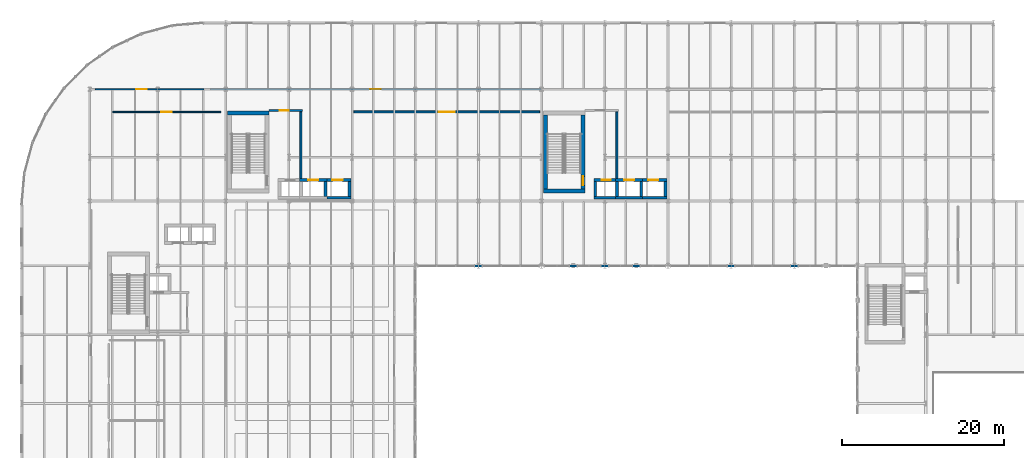
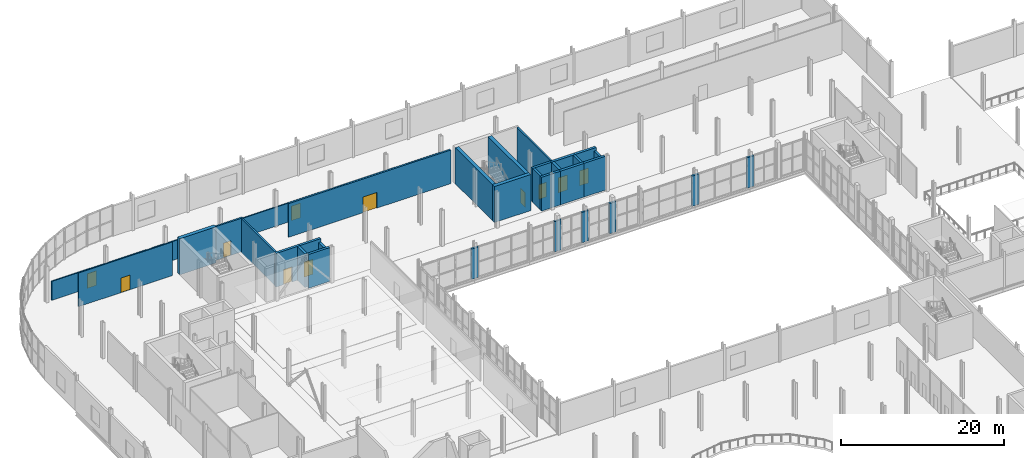
# One storey, part 55 of 78: 32 walls, 11 doors, 11 openings.
"""IFC4 building model written with IfcOpenShell, lengths in metres."""

import ifcopenshell
import ifcopenshell.guid

model = None  # the IFC model being written
_history = None  # IfcOwnerHistory: only IFC2X3 demands one
_inside = {}  # id of a spatial element -> (the spatial element, [elements in it])
_under = {}  # id of a project, library or spatial element -> (it, [spatial elements below it])
_declared = {}  # id of a project -> (the project, [libraries it declares])
_typed = {}  # id of a type object -> (the type object, [elements of that type])
_made_of = {}  # id of a material, layer set ... -> (it, [elements and type objects made of it])


def new_model(schema):
    """Start an empty IFC model of exactly this schema.

    Asked for "IFC4X3", IfcOpenShell would pick the latest addendum, in which some entities
    have other attributes; the version numbers below select the first issue.
    IFC2X3 requires an IfcOwnerHistory on every rooted entity: one is made here for all.
    """
    global model, _history
    if schema == "IFC4X3":
        model = ifcopenshell.file(schema_version=(4, 3, 0, 0))
    else:
        model = ifcopenshell.file(schema=schema)
    _inside.clear()
    _under.clear()
    _declared.clear()
    _typed.clear()
    _made_of.clear()
    _history = None
    if model.schema == "IFC2X3":
        org = make("IfcOrganization", Name="unknown")
        user = make(
            "IfcPersonAndOrganization",
            ThePerson=make("IfcPerson", FamilyName="unknown"),
            TheOrganization=org,
        )
        app = make(
            "IfcApplication",
            ApplicationDeveloper=org,
            Version="unknown",
            ApplicationFullName="unknown",
            ApplicationIdentifier="unknown",
        )
        _history = make(
            "IfcOwnerHistory",
            OwningUser=user,
            OwningApplication=app,
            ChangeAction="ADDED",
            CreationDate=0,
        )
    return model


def make(cls, **values):
    """One entity of the class cls with the attributes given. An attribute that is None is left unset."""
    return model.create_entity(
        cls, **{name: value for name, value in values.items() if value is not None}
    )


def rooted(cls, **values):
    """An entity with a GlobalId (a new one), such as an element, a storey or a relation."""
    return make(cls, GlobalId=ifcopenshell.guid.new(), OwnerHistory=_history, **values)


def si_unit(unit_type, name, prefix=None):
    """IfcSIUnit, for example si_unit("LENGTHUNIT", "METRE", prefix="MILLI")."""
    return make("IfcSIUnit", UnitType=unit_type, Prefix=prefix, Name=name)


def assignment(units):
    """IfcUnitAssignment: the units of a project."""
    return None if units is None else make("IfcUnitAssignment", Units=units)


def point(xyz):
    """IfcCartesianPoint."""
    return None if xyz is None else make("IfcCartesianPoint", Coordinates=xyz)


def direction(xyz):
    """IfcDirection."""
    return None if xyz is None else make("IfcDirection", DirectionRatios=xyz)


def frame(location, z_axis=None, x_axis=None):
    """IfcAxis2Placement3D, a coordinate frame: its origin and axes. An axis left out is left unset."""
    return make(
        "IfcAxis2Placement3D",
        Location=point(location),
        Axis=direction(z_axis),
        RefDirection=direction(x_axis),
    )


def frame_2d(location, x_axis=None):
    """IfcAxis2Placement2D, a coordinate frame in the plane: its origin and x axis."""
    return make(
        "IfcAxis2Placement2D", Location=point(location), RefDirection=direction(x_axis)
    )


def origin():
    """The frame at (0, 0, 0) with its axes left unset."""
    return frame((0.0, 0.0, 0.0))


def place(relative_to, where):
    """IfcLocalPlacement: puts the frame where relative to a parent placement (None: the world)."""
    return make(
        "IfcLocalPlacement", PlacementRelTo=relative_to, RelativePlacement=where
    )


def context(
    kind, dimensions, precision=None, world=None, true_north=None, identifier=None
):
    """IfcGeometricRepresentationContext, for example the 3D "Model" context."""
    return make(
        "IfcGeometricRepresentationContext",
        ContextIdentifier=identifier,
        ContextType=kind,
        CoordinateSpaceDimension=dimensions,
        Precision=precision,
        WorldCoordinateSystem=world,
        TrueNorth=true_north,
    )


def subcontext(parent, identifier, kind, view, scale=None):
    """IfcGeometricRepresentationSubContext, for example "Body" below "Model"."""
    return make(
        "IfcGeometricRepresentationSubContext",
        ContextIdentifier=identifier,
        ContextType=kind,
        ParentContext=parent,
        TargetScale=scale,
        TargetView=view,
    )


def project(units=None, contexts=None):
    """IfcProject with its units and contexts."""
    return rooted(
        "IfcProject",
        Name="project",
        RepresentationContexts=contexts,
        UnitsInContext=assignment(units),
    )


def spatial(cls, under=None, at=None, **own):
    """A site, building, storey or space (cls), placed at a placement, below another one or the project."""
    s = rooted(cls, ObjectPlacement=at, **own)
    if under is not None:
        _under.setdefault(under.id(), (under, []))[1].append(s)
    return s


def profile(cls, at=None, kind="AREA", **sizes):
    """A parametric profile (cls). Its sizes go by their IFC names, for example OverallWidth=200.0."""
    return make(cls, ProfileType=kind, Position=at, **sizes)


def rectangle(**sizes):
    """IfcRectangleProfileDef."""
    return profile("IfcRectangleProfileDef", **sizes)


def extrude(swept, where, along, depth):
    """IfcExtrudedAreaSolid: the profile swept, set in the frame where, extruded along a direction by depth."""
    return make(
        "IfcExtrudedAreaSolid",
        SweptArea=swept,
        Position=where,
        ExtrudedDirection=direction(along),
        Depth=depth,
    )


def shape(context_of_items, identifier, shape_type, items):
    """IfcShapeRepresentation: the items that make up one representation, for example the "Body"."""
    return make(
        "IfcShapeRepresentation",
        ContextOfItems=context_of_items,
        RepresentationIdentifier=identifier,
        RepresentationType=shape_type,
        Items=items,
    )


def material(Name=None, Category=None):
    """IfcMaterial."""
    return make("IfcMaterial", Name=Name, Category=Category)


def layer(
    of_material, thickness, ventilated=None, Name=None, Category=None, Priority=None
):
    """IfcMaterialLayer: one layer of a wall or slab, of a material (None: an air gap)."""
    return make(
        "IfcMaterialLayer",
        Material=of_material,
        LayerThickness=thickness,
        IsVentilated=ventilated,
        Name=Name,
        Category=Category,
        Priority=Priority,
    )


def layer_set(layers, Name=None):
    """IfcMaterialLayerSet."""
    return make("IfcMaterialLayerSet", MaterialLayers=layers, LayerSetName=Name)


def made_of(thing, what):
    """Note that an element or type object is made of a material, layer set ...; save() writes the relation."""
    if what is not None:
        _made_of.setdefault(what.id(), (what, []))[1].append(thing)
    return thing


def type_object(cls, material=None, **own):
    """A type object (cls), such as IfcWallType, which elements share."""
    return made_of(rooted(cls, **own), material)


def element(
    cls,
    number,
    at=None,
    inside=None,
    cuts=None,
    type_object=None,
    material=None,
    context=None,
    identifier="Body",
    shape_type=None,
    held_by="IfcProductDefinitionShape",
    body=None,
    shapes=None,
    **own,
):
    """One element of the class cls, such as IfcWall. Its Tag is "e" and its number.

    at: its placement. inside: the storey or other place that contains it. cuts: it is an
    opening in that element (IfcRelVoidsElement). A single representation is given by context,
    identifier, shape_type and body (its items); several are given by shapes. held_by: the class
    of the entity that holds the representations. save() writes the other relations.
    """
    e = rooted(cls, Tag="e%d" % number, ObjectPlacement=at, **own)
    if body is not None:
        shapes = [shape(context, identifier, shape_type, body)]
    if shapes is not None:
        e.Representation = make(held_by, Representations=shapes)
    if inside is not None:
        _inside.setdefault(inside.id(), (inside, []))[1].append(e)
    if cuts is not None:
        rooted(
            "IfcRelVoidsElement", RelatingBuildingElement=cuts, RelatedOpeningElement=e
        )
    if type_object is not None:
        _typed.setdefault(type_object.id(), (type_object, []))[1].append(e)
    return made_of(e, material)


def fill(opening, filler):
    """IfcRelFillsElement: the door or window that sits in an opening."""
    return rooted(
        "IfcRelFillsElement",
        RelatingOpeningElement=opening,
        RelatedBuildingElement=filler,
    )


def aggregate(whole, parts):
    """IfcRelAggregates: a whole, such as a stair, and the parts it consists of."""
    return rooted("IfcRelAggregates", RelatingObject=whole, RelatedObjects=parts)


def save(model, path):
    """Write the relations noted so far, then the file.

    IfcRelAggregates (storeys below a building ...), IfcRelContainedInSpatialStructure (elements
    in a storey), IfcRelDefinesByType, IfcRelAssociatesMaterial and IfcRelDeclares: one each for
    every whole, place, type object, material and project.
    """
    for whole, parts in _under.values():
        aggregate(whole, parts)
    for where, things in _inside.values():
        rooted(
            "IfcRelContainedInSpatialStructure",
            RelatedElements=things,
            RelatingStructure=where,
        )
    for kind, things in _typed.values():
        rooted("IfcRelDefinesByType", RelatedObjects=things, RelatingType=kind)
    for what, things in _made_of.values():
        rooted("IfcRelAssociatesMaterial", RelatedObjects=things, RelatingMaterial=what)
    for by, libraries in _declared.values():
        rooted("IfcRelDeclares", RelatingContext=by, RelatedDefinitions=libraries)
    model.write(path)


model = new_model("IFC4")

# Units and contexts
model_context = context("Model", 3, precision=1e-05, world=origin(), true_north=direction((0.0, 1.0)))
body_context = subcontext(model_context, "Body", "Model", "MODEL_VIEW")
ifc_project = project(units=[si_unit("LENGTHUNIT", "METRE"), si_unit("AREAUNIT", "SQUARE_METRE"), si_unit("VOLUMEUNIT", "CUBIC_METRE"), si_unit("PLANEANGLEUNIT", "RADIAN"), si_unit("MASSUNIT", "GRAM", prefix="KILO")], contexts=[model_context])

# Site, building, storey
site_placement = place(None, origin())
site = spatial("IfcSite", under=ifc_project, at=site_placement, CompositionType="ELEMENT")
building_placement = place(site_placement, origin())
building = spatial("IfcBuilding", under=site, at=building_placement, Name="Sefraquen Railside Congress Hotel", CompositionType="ELEMENT")
storey_placement = place(building_placement, frame((0.0, 0.0, 6.0)))
storey = spatial("IfcBuildingStorey", under=building, at=storey_placement, Name="L01", CompositionType="ELEMENT", Elevation=6.0)

# Wall, opening, door
ifc_material_1 = material(Name="Concrete C50/60", Category="concrete")
ifc_layer_1 = layer(ifc_material_1, 0.35009765625)
ifc_layer_set_1 = layer_set([ifc_layer_1], Name="Concrete C50/60")
wall_type_1 = type_object("IfcWallType", Name="TW-CW-350", PredefinedType="SHEAR", material=ifc_layer_set_1)
wall_1_placement = place(storey_placement, frame((70.639892578125, 98.594970703125, 0.0), z_axis=(0.0, 0.0, 1.0), x_axis=(1.0, 0.0, 0.0)))
wall_1 = element("IfcWall", 1, at=wall_1_placement, inside=storey, type_object=wall_type_1, Name="Lift FL-03 shaft wall N L01", PredefinedType="SHEAR", context=body_context, shape_type="SweptSolid", body=[
    extrude(rectangle(XDim=2.690185546875, YDim=0.35009765625, at=frame_2d((1.34521484375, 0.0))), origin(), (0.0, 0.0, 1.0), 5.050048828125),
])
opening_1_placement = place(wall_1_placement, frame((0.969970703125, 0.0, 0.0)))
opening_1 = element("IfcOpeningElement", 2, at=opening_1_placement, cuts=wall_1, Name="Opening LD-01", PredefinedType="OPENING", context=body_context, shape_type="SweptSolid", body=[
    extrude(rectangle(XDim=1.10009765625, YDim=2.199951171875, at=frame_2d((0.550048828125, 1.10009765625))), frame((0.0, 0.18505859375, 0.0), z_axis=(0.0, -1.0, 0.0), x_axis=(1.0, 0.0, 0.0)), (0.0, 0.0, 1.0), 0.3701171875),
])
ifc_material_2 = material(Name="Brushed bronze stainless steel", Category="steel")
door_type_1 = type_object("IfcDoorType", Name="TD-LD-01", OperationType="NOTDEFINED", PredefinedType="DOOR", material=ifc_material_2)
door_1_placement = place(opening_1_placement, origin())
door_1 = element("IfcDoor", 3, at=door_1_placement, inside=storey, type_object=door_type_1, Name="Lift landing door FL-03 L01", OperationType="SLIDING_TO_LEFT", OverallHeight=2.199951171875, OverallWidth=1.10009765625, PredefinedType="DOOR", context=body_context, shape_type="SweptSolid", body=[
    extrude(rectangle(XDim=1.10009765625, YDim=2.199951171875, at=frame_2d((0.550048828125, 1.10009765625))), frame((0.0, 0.02490234375, 0.0), z_axis=(0.0, -1.0, 0.0), x_axis=(1.0, 0.0, 0.0)), (0.0, 0.0, 1.0), 0.050048828125),
])
fill(opening_1, door_1)

# Walls
wall_2_placement = place(storey_placement, frame((70.639892578125, 96.405029296875, 0.0), z_axis=(0.0, 0.0, 1.0), x_axis=(1.0, 0.0, 0.0)))
element("IfcWall", 4, at=wall_2_placement, inside=storey, type_object=wall_type_1, Name="Lift FL-03 shaft wall S L01", PredefinedType="SHEAR", context=body_context, shape_type="SweptSolid", body=[
    extrude(rectangle(XDim=2.690185546875, YDim=0.35009765625, at=frame_2d((1.34521484375, 0.0))), origin(), (0.0, 0.0, 1.0), 5.050048828125),
])
wall_3_placement = place(storey_placement, frame((70.81494140625, 96.580078125, 0.0), z_axis=(0.0, 0.0, 1.0), x_axis=(0.0, 1.0, 0.0)))
element("IfcWall", 5, at=wall_3_placement, inside=storey, type_object=wall_type_1, Name="Lift FL-03 shaft wall W L01", PredefinedType="SHEAR", context=body_context, shape_type="SweptSolid", body=[
    extrude(rectangle(XDim=1.83984375, YDim=0.35009765625, at=frame_2d((0.919921875, 0.0))), origin(), (0.0, 0.0, 1.0), 5.050048828125),
])

# Wall, opening, door
wall_4_placement = place(storey_placement, frame((34.330078125, 98.594970703125, 0.0), z_axis=(0.0, 0.0, 1.0), x_axis=(1.0, 0.0, 0.0)))
wall_4 = element("IfcWall", 6, at=wall_4_placement, inside=storey, type_object=wall_type_1, Name="Lift PL-03 shaft wall N L01", PredefinedType="SHEAR", context=body_context, shape_type="SweptSolid", body=[
    extrude(rectangle(XDim=3.33984375, YDim=0.35009765625, at=frame_2d((1.669921875, 0.0))), origin(), (0.0, 0.0, 1.0), 5.050048828125),
])
opening_2_placement = place(wall_4_placement, frame((1.044921875, 0.0, 0.0)))
opening_2 = element("IfcOpeningElement", 7, at=opening_2_placement, cuts=wall_4, Name="Opening LD-02", PredefinedType="OPENING", context=body_context, shape_type="SweptSolid", body=[
    extrude(rectangle(XDim=1.25, YDim=2.25, at=frame_2d((0.625, 1.125))), frame((0.0, 0.18505859375, 0.0), z_axis=(0.0, -1.0, 0.0), x_axis=(1.0, 0.0, 0.0)), (0.0, 0.0, 1.0), 0.3701171875),
])
ifc_material_3 = material(Name="Brushed stainless steel", Category="steel")
door_type_2 = type_object("IfcDoorType", Name="TD-LD-02", OperationType="NOTDEFINED", PredefinedType="DOOR", material=ifc_material_3)
door_2_placement = place(opening_2_placement, origin())
door_2 = element("IfcDoor", 8, at=door_2_placement, inside=storey, type_object=door_type_2, Name="Lift landing door PL-03 L01", OperationType="SLIDING_TO_LEFT", OverallHeight=2.25, OverallWidth=1.25, PredefinedType="DOOR", context=body_context, shape_type="SweptSolid", body=[
    extrude(rectangle(XDim=1.25, YDim=2.25, at=frame_2d((0.625, 1.125))), frame((0.0, 0.02490234375, 0.0), z_axis=(0.0, -1.0, 0.0), x_axis=(1.0, 0.0, 0.0)), (0.0, 0.0, 1.0), 0.050048828125),
])
fill(opening_2, door_2)

# Wall
wall_5_placement = place(storey_placement, frame((37.4951171875, 96.580078125, 0.0), z_axis=(0.0, 0.0, 1.0), x_axis=(0.0, 1.0, 0.0)))
element("IfcWall", 9, at=wall_5_placement, inside=storey, type_object=wall_type_1, Name="Lift PL-03 shaft wall E L01", PredefinedType="SHEAR", context=body_context, shape_type="SweptSolid", body=[
    extrude(rectangle(XDim=1.83984375, YDim=0.35009765625, at=frame_2d((0.919921875, 0.0))), origin(), (0.0, 0.0, 1.0), 5.050048828125),
])

# Wall, opening, door
wall_6_placement = place(storey_placement, frame((37.669921875, 98.594970703125, 0.0), z_axis=(0.0, 0.0, 1.0), x_axis=(1.0, 0.0, 0.0)))
wall_6 = element("IfcWall", 10, at=wall_6_placement, inside=storey, type_object=wall_type_1, Name="Lift PL-04 shaft wall N L01", PredefinedType="SHEAR", context=body_context, shape_type="SweptSolid", body=[
    extrude(rectangle(XDim=2.989990234375, YDim=0.35009765625, at=frame_2d((1.4951171875, 0.0))), origin(), (0.0, 0.0, 1.0), 5.050048828125),
])
opening_3_placement = place(wall_6_placement, frame((0.695068359375, 0.0, 0.0)))
opening_3 = element("IfcOpeningElement", 11, at=opening_3_placement, cuts=wall_6, Name="Opening LD-02", PredefinedType="OPENING", context=body_context, shape_type="SweptSolid", body=[
    extrude(rectangle(XDim=1.25, YDim=2.25, at=frame_2d((0.625, 1.125))), frame((0.0, 0.18505859375, 0.0), z_axis=(0.0, -1.0, 0.0), x_axis=(1.0, 0.0, 0.0)), (0.0, 0.0, 1.0), 0.3701171875),
])
door_3_placement = place(opening_3_placement, origin())
door_3 = element("IfcDoor", 12, at=door_3_placement, inside=storey, type_object=door_type_2, Name="Lift landing door PL-04 L01", OperationType="SLIDING_TO_LEFT", OverallHeight=2.25, OverallWidth=1.25, PredefinedType="DOOR", context=body_context, shape_type="SweptSolid", body=[
    extrude(rectangle(XDim=1.25, YDim=2.25, at=frame_2d((0.625, 1.125))), frame((0.0, 0.02490234375, 0.0), z_axis=(0.0, -1.0, 0.0), x_axis=(1.0, 0.0, 0.0)), (0.0, 0.0, 1.0), 0.050048828125),
])
fill(opening_3, door_3)

# Walls
wall_7_placement = place(storey_placement, frame((37.669921875, 96.405029296875, 0.0), z_axis=(0.0, 0.0, 1.0), x_axis=(1.0, 0.0, 0.0)))
element("IfcWall", 13, at=wall_7_placement, inside=storey, type_object=wall_type_1, Name="Lift PL-04 shaft wall S L01", PredefinedType="SHEAR", context=body_context, shape_type="SweptSolid", body=[
    extrude(rectangle(XDim=2.989990234375, YDim=0.35009765625, at=frame_2d((1.4951171875, 0.0))), origin(), (0.0, 0.0, 1.0), 5.050048828125),
])
wall_8_placement = place(storey_placement, frame((40.485107421875, 96.580078125, 0.0), z_axis=(0.0, 0.0, 1.0), x_axis=(0.0, 1.0, 0.0)))
element("IfcWall", 14, at=wall_8_placement, inside=storey, type_object=wall_type_1, Name="Lift PL-04 shaft wall E L01", PredefinedType="SHEAR", context=body_context, shape_type="SweptSolid", body=[
    extrude(rectangle(XDim=1.83984375, YDim=0.35009765625, at=frame_2d((0.919921875, 0.0))), origin(), (0.0, 0.0, 1.0), 4.590087890625),
])

# Wall, opening, door
wall_9_placement = place(storey_placement, frame((73.330078125, 98.594970703125, 0.0), z_axis=(0.0, 0.0, 1.0), x_axis=(1.0, 0.0, 0.0)))
wall_9 = element("IfcWall", 15, at=wall_9_placement, inside=storey, type_object=wall_type_1, Name="Lift PL-05 shaft wall N L01", PredefinedType="SHEAR", context=body_context, shape_type="SweptSolid", body=[
    extrude(rectangle(XDim=3.33984375, YDim=0.35009765625, at=frame_2d((1.669921875, 0.0))), origin(), (0.0, 0.0, 1.0), 5.050048828125),
])
opening_4_placement = place(wall_9_placement, frame((1.044921875, 0.0, 0.0)))
opening_4 = element("IfcOpeningElement", 16, at=opening_4_placement, cuts=wall_9, Name="Opening LD-02", PredefinedType="OPENING", context=body_context, shape_type="SweptSolid", body=[
    extrude(rectangle(XDim=1.25, YDim=2.25, at=frame_2d((0.625, 1.125))), frame((0.0, 0.18505859375, 0.0), z_axis=(0.0, -1.0, 0.0), x_axis=(1.0, 0.0, 0.0)), (0.0, 0.0, 1.0), 0.3701171875),
])
door_4_placement = place(opening_4_placement, origin())
door_4 = element("IfcDoor", 17, at=door_4_placement, inside=storey, type_object=door_type_2, Name="Lift landing door PL-05 L01", OperationType="SLIDING_TO_LEFT", OverallHeight=2.25, OverallWidth=1.25, PredefinedType="DOOR", context=body_context, shape_type="SweptSolid", body=[
    extrude(rectangle(XDim=1.25, YDim=2.25, at=frame_2d((0.625, 1.125))), frame((0.0, 0.02490234375, 0.0), z_axis=(0.0, -1.0, 0.0), x_axis=(1.0, 0.0, 0.0)), (0.0, 0.0, 1.0), 0.050048828125),
])
fill(opening_4, door_4)

# Walls
wall_10_placement = place(storey_placement, frame((73.330078125, 96.405029296875, 0.0), z_axis=(0.0, 0.0, 1.0), x_axis=(1.0, 0.0, 0.0)))
element("IfcWall", 18, at=wall_10_placement, inside=storey, type_object=wall_type_1, Name="Lift PL-05 shaft wall S L01", PredefinedType="SHEAR", context=body_context, shape_type="SweptSolid", body=[
    extrude(rectangle(XDim=3.33984375, YDim=0.35009765625, at=frame_2d((1.669921875, 0.0))), origin(), (0.0, 0.0, 1.0), 5.050048828125),
])
for number, where, z_axis, x_axis, name in (
    (19, (73.5048828125, 96.580078125, 0.0), (0.0, 0.0, 1.0), (0.0, 1.0, 0.0), "Lift PL-05 shaft wall W L01"),
    (20, (76.4951171875, 96.580078125, 0.0), (0.0, 0.0, 1.0), (0.0, 1.0, 0.0), "Lift PL-05 shaft wall E L01"),
):
    element("IfcWall", number, at=place(storey_placement, frame(where, z_axis=z_axis, x_axis=x_axis)), inside=storey, type_object=wall_type_1, Name=name, PredefinedType="SHEAR", context=body_context, shape_type="SweptSolid", body=[
        extrude(rectangle(XDim=1.83984375, YDim=0.35009765625, at=frame_2d((0.919921875, 0.0))), origin(), (0.0, 0.0, 1.0), 5.050048828125),
    ])

# Wall, opening, door
wall_11_placement = place(storey_placement, frame((76.669921875, 98.594970703125, 0.0), z_axis=(0.0, 0.0, 1.0), x_axis=(1.0, 0.0, 0.0)))
wall_11 = element("IfcWall", 21, at=wall_11_placement, inside=storey, type_object=wall_type_1, Name="Lift PL-06 shaft wall N L01", PredefinedType="SHEAR", context=body_context, shape_type="SweptSolid", body=[
    extrude(rectangle(XDim=2.989990234375, YDim=0.35009765625, at=frame_2d((1.4951171875, 0.0))), origin(), (0.0, 0.0, 1.0), 5.050048828125),
])
opening_5_placement = place(wall_11_placement, frame((0.695068359375, 0.0, 0.0)))
opening_5 = element("IfcOpeningElement", 22, at=opening_5_placement, cuts=wall_11, Name="Opening LD-02", PredefinedType="OPENING", context=body_context, shape_type="SweptSolid", body=[
    extrude(rectangle(XDim=1.25, YDim=2.25, at=frame_2d((0.625, 1.125))), frame((0.0, 0.18505859375, 0.0), z_axis=(0.0, -1.0, 0.0), x_axis=(1.0, 0.0, 0.0)), (0.0, 0.0, 1.0), 0.3701171875),
])
door_5_placement = place(opening_5_placement, origin())
door_5 = element("IfcDoor", 23, at=door_5_placement, inside=storey, type_object=door_type_2, Name="Lift landing door PL-06 L01", OperationType="SLIDING_TO_LEFT", OverallHeight=2.25, OverallWidth=1.25, PredefinedType="DOOR", context=body_context, shape_type="SweptSolid", body=[
    extrude(rectangle(XDim=1.25, YDim=2.25, at=frame_2d((0.625, 1.125))), frame((0.0, 0.02490234375, 0.0), z_axis=(0.0, -1.0, 0.0), x_axis=(1.0, 0.0, 0.0)), (0.0, 0.0, 1.0), 0.050048828125),
])
fill(opening_5, door_5)

# Walls
wall_12_placement = place(storey_placement, frame((76.669921875, 96.405029296875, 0.0), z_axis=(0.0, 0.0, 1.0), x_axis=(1.0, 0.0, 0.0)))
element("IfcWall", 24, at=wall_12_placement, inside=storey, type_object=wall_type_1, Name="Lift PL-06 shaft wall S L01", PredefinedType="SHEAR", context=body_context, shape_type="SweptSolid", body=[
    extrude(rectangle(XDim=2.989990234375, YDim=0.35009765625, at=frame_2d((1.4951171875, 0.0))), origin(), (0.0, 0.0, 1.0), 5.050048828125),
])
wall_13_placement = place(storey_placement, frame((79.485107421875, 96.580078125, 0.0), z_axis=(0.0, 0.0, 1.0), x_axis=(0.0, 1.0, 0.0)))
element("IfcWall", 25, at=wall_13_placement, inside=storey, type_object=wall_type_1, Name="Lift PL-06 shaft wall E L01", PredefinedType="SHEAR", context=body_context, shape_type="SweptSolid", body=[
    extrude(rectangle(XDim=1.83984375, YDim=0.35009765625, at=frame_2d((0.919921875, 0.0))), origin(), (0.0, 0.0, 1.0), 4.590087890625),
])
ifc_layer_2 = layer(ifc_material_1, 0.5)
ifc_layer_set_2 = layer_set([ifc_layer_2], Name="Concrete C50/60")
wall_type_2 = type_object("IfcWallType", Name="TW-CW-500", PredefinedType="SHEAR", material=ifc_layer_set_2)
for number, where, z_axis, x_axis, name in (
    (26, (25.39990234375, 106.862060546875, 0.0), (0.0, 0.0, 1.0), (1.0, 0.0, 0.0), "Core shear wall ST-H02 N L01"),
    (27, (64.39990234375, 97.25, 0.0), (0.0, 0.0, 1.0), (1.0, 0.0, 0.0), "Core shear wall ST-H03 S L01"),
):
    element("IfcWall", number, at=place(storey_placement, frame(where, z_axis=z_axis, x_axis=x_axis)), inside=storey, type_object=wall_type_2, Name=name, PredefinedType="SHEAR", context=body_context, shape_type="SweptSolid", body=[
        extrude(rectangle(XDim=5.16015625, YDim=0.5, at=frame_2d((2.580078125, 0.0))), origin(), (0.0, 0.0, 1.0), 5.39990234375),
    ])
wall_14_placement = place(storey_placement, frame((64.64990234375, 97.5, 0.0), z_axis=(0.0, 0.0, 1.0), x_axis=(0.0, 1.0, 0.0)))
element("IfcWall", 28, at=wall_14_placement, inside=storey, type_object=wall_type_2, Name="Core shear wall ST-H03 W L01", PredefinedType="SHEAR", context=body_context, shape_type="SweptSolid", body=[
    extrude(rectangle(XDim=9.112060546875, YDim=0.5, at=frame_2d((4.55615234375, 0.0))), origin(), (0.0, 0.0, 1.0), 5.39990234375),
])

# Wall, opening, door
wall_15_placement = place(storey_placement, frame((69.31005859375, 97.5, 0.0), z_axis=(0.0, 0.0, 1.0), x_axis=(0.0, 1.0, 0.0)))
wall_15 = element("IfcWall", 29, at=wall_15_placement, inside=storey, type_object=wall_type_2, Name="Core shear wall ST-H03 E L01", PredefinedType="SHEAR", context=body_context, shape_type="SweptSolid", body=[
    extrude(rectangle(XDim=9.112060546875, YDim=0.5, at=frame_2d((4.55615234375, 0.0))), origin(), (0.0, 0.0, 1.0), 5.39990234375),
])
opening_6_placement = place(wall_15_placement, frame((0.43994140625, 0.0, 0.0)))
opening_6 = element("IfcOpeningElement", 30, at=opening_6_placement, cuts=wall_15, Name="Opening FD-04", PredefinedType="OPENING", context=body_context, shape_type="SweptSolid", body=[
    extrude(rectangle(XDim=1.10009765625, YDim=2.199951171875, at=frame_2d((0.550048828125, 1.10009765625))), frame((0.0, 0.260009765625, 0.0), z_axis=(0.0, -1.0, 0.0), x_axis=(1.0, 0.0, 0.0)), (0.0, 0.0, 1.0), 0.52001953125),
])
ifc_material_4 = material(Name="Fire-rated steel", Category="steel")
door_type_3 = type_object("IfcDoorType", Name="TD-FD-04", OperationType="NOTDEFINED", PredefinedType="DOOR", material=ifc_material_4)
door_6_placement = place(opening_6_placement, origin())
door_6 = element("IfcDoor", 31, at=door_6_placement, inside=storey, type_object=door_type_3, Name="Pressurized stair ST-H03 fire door L01", OperationType="SINGLE_SWING_LEFT", OverallHeight=2.199951171875, OverallWidth=1.10009765625, PredefinedType="DOOR", context=body_context, shape_type="SweptSolid", body=[
    extrude(rectangle(XDim=1.10009765625, YDim=2.199951171875, at=frame_2d((0.550048828125, 1.10009765625))), frame((0.0, 0.02490234375, 0.0), z_axis=(0.0, -1.0, 0.0), x_axis=(1.0, 0.0, 0.0)), (0.0, 0.0, 1.0), 0.050048828125),
])
fill(opening_6, door_6)

# Walls
ifc_material_5 = material(Name="Ochre Rabat calcarenite limestone and Concrete C40/50 backing", Category="masonry")
ifc_layer_3 = layer(ifc_material_5, 0.280029296875)
ifc_layer_set_3 = layer_set([ifc_layer_3], Name="Ochre Rabat calcarenite limestone and Concrete C40/50 backing")
wall_type_3 = type_object("IfcWallType", Name="TW-EW-280", PredefinedType="STANDARD", material=ifc_layer_set_3)
for number, where, z_axis, x_axis, name in (
    (32, (55.919921875, 88.0, 0.0), (0.0, 0.0, 1.0), (1.0, 0.0, 0.0), "Courtyard north gallery curtain wall L01-1 column pier closure 1"),
    (33, (67.6201171875, 88.0, 0.0), (0.0, 0.0, 1.0), (1.0, 0.0, 0.0), "Courtyard north gallery curtain wall L01-2 column pier closure 1"),
    (34, (71.52001953125, 88.0, 0.0), (0.0, 0.0, 1.0), (1.0, 0.0, 0.0), "Courtyard north gallery curtain wall L01-2 column pier closure 2"),
    (35, (75.419921875, 88.0, 0.0), (0.0, 0.0, 1.0), (1.0, 0.0, 0.0), "Courtyard north gallery curtain wall L01-2 column pier closure 3"),
    (36, (87.1201171875, 88.0, 0.0), (0.0, 0.0, 1.0), (1.0, 0.0, 0.0), "Courtyard north gallery curtain wall L01-3 column pier closure 1"),
    (37, (94.919921875, 88.0, 0.0), (0.0, 0.0, 1.0), (1.0, 0.0, 0.0), "Courtyard north gallery curtain wall L01-3 column pier closure 2"),
):
    element("IfcWall", number, at=place(storey_placement, frame(where, z_axis=z_axis, x_axis=x_axis)), inside=storey, type_object=wall_type_3, Name=name, PredefinedType="STANDARD", context=body_context, shape_type="SweptSolid", body=[
        extrude(rectangle(XDim=0.9599609375, YDim=0.260009765625, at=frame_2d((0.47998046875, 0.0))), origin(), (0.0, 0.0, 1.0), 4.5400390625),
    ])
ifc_material_6 = material(Name="Concrete C40/50", Category="concrete")
ifc_layer_4 = layer(ifc_material_6, 0.239990234375)
ifc_layer_set_4 = layer_set([ifc_layer_4], Name="Concrete C40/50")
wall_type_4 = type_object("IfcWallType", Name="TW-FW-240", PredefinedType="STANDARD", material=ifc_layer_set_4)
wall_16_placement = place(storey_placement, frame((34.47998046875, 98.780029296875, 0.0), z_axis=(0.0, 0.0, 1.0), x_axis=(0.0, 1.0, 0.0)))
element("IfcWall", 38, at=wall_16_placement, inside=storey, type_object=wall_type_4, Name="Firefighting Lift Lobby FFL-02 east fire wall L01", PredefinedType="STANDARD", context=body_context, shape_type="SweptSolid", body=[
    extrude(rectangle(XDim=8.239990234375, YDim=0.239990234375, at=frame_2d((4.1201171875, 0.0))), origin(), (0.0, 0.0, 1.0), 5.050048828125),
])

# Wall, opening, door
wall_17_placement = place(storey_placement, frame((30.56005859375, 107.199951171875, 0.0), z_axis=(0.0, 0.0, 1.0), x_axis=(1.0, 0.0, 0.0)))
wall_17 = element("IfcWall", 39, at=wall_17_placement, inside=storey, type_object=wall_type_4, Name="Firefighting Lift Lobby FFL-02 EI 120 separation wall L01", PredefinedType="STANDARD", context=body_context, shape_type="SweptSolid", body=[
    extrude(rectangle(XDim=4.099853515625, YDim=0.239990234375, at=frame_2d((2.0498046875, 0.0))), origin(), (0.0, 0.0, 1.0), 5.050048828125),
])
opening_7_placement = place(wall_17_placement, frame((1.300048828125, 0.0, 0.0)))
opening_7 = element("IfcOpeningElement", 40, at=opening_7_placement, cuts=wall_17, Name="Opening FD-04", PredefinedType="OPENING", context=body_context, shape_type="SweptSolid", body=[
    extrude(rectangle(XDim=1.10009765625, YDim=2.199951171875, at=frame_2d((0.550048828125, 1.10009765625))), frame((0.0, 0.1298828125, 0.0), z_axis=(0.0, -1.0, 0.0), x_axis=(1.0, 0.0, 0.0)), (0.0, 0.0, 1.0), 0.260009765625),
])
door_7_placement = place(opening_7_placement, origin())
door_7 = element("IfcDoor", 41, at=door_7_placement, inside=storey, type_object=door_type_3, Name="Firefighting Lift Lobby FFL-02 self-closing fire door L01", OperationType="SINGLE_SWING_LEFT", OverallHeight=2.199951171875, OverallWidth=1.10009765625, PredefinedType="DOOR", context=body_context, shape_type="SweptSolid", body=[
    extrude(rectangle(XDim=1.10009765625, YDim=2.199951171875, at=frame_2d((0.550048828125, 1.10009765625))), frame((0.0, 0.02490234375, 0.0), z_axis=(0.0, -1.0, 0.0), x_axis=(1.0, 0.0, 0.0)), (0.0, 0.0, 1.0), 0.050048828125),
])
fill(opening_7, door_7)

# Wall
wall_18_placement = place(storey_placement, frame((73.47998046875, 98.780029296875, 0.0), z_axis=(0.0, 0.0, 1.0), x_axis=(0.0, 1.0, 0.0)))
element("IfcWall", 42, at=wall_18_placement, inside=storey, type_object=wall_type_4, Name="Firefighting Lift Lobby FFL-03 east fire wall L01", PredefinedType="STANDARD", context=body_context, shape_type="SweptSolid", body=[
    extrude(rectangle(XDim=8.239990234375, YDim=0.239990234375, at=frame_2d((4.1201171875, 0.0))), origin(), (0.0, 0.0, 1.0), 5.050048828125),
])

# Wall, opening, door
wall_19_placement = place(storey_placement, frame((41.0, 107.0, 0.0), z_axis=(0.0, 0.0, 1.0), x_axis=(1.0, 0.0, 0.0)))
wall_19 = element("IfcWall", 43, at=wall_19_placement, inside=storey, type_object=wall_type_4, Name="Specialty Restaurant Culinary Kitchen enclosure wall", PredefinedType="STANDARD", context=body_context, shape_type="SweptSolid", body=[
    extrude(rectangle(XDim=22.949951171875, YDim=0.239990234375, at=frame_2d((11.47509765625, 0.0))), origin(), (0.0, 0.0, 1.0), 5.050048828125),
])
opening_8_placement = place(wall_19_placement, frame((10.47509765625, 0.0, 0.0)))
opening_8 = element("IfcOpeningElement", 44, at=opening_8_placement, cuts=wall_19, Name="Opening AD-02", PredefinedType="OPENING", context=body_context, shape_type="SweptSolid", body=[
    extrude(rectangle(XDim=2.0, YDim=2.35009765625, at=frame_2d((1.0, 1.175048828125))), frame((0.0, 0.1298828125, 0.0), z_axis=(0.0, -1.0, 0.0), x_axis=(1.0, 0.0, 0.0)), (0.0, 0.0, 1.0), 0.260009765625),
])
ifc_material_7 = material(Name="Acoustic Atlas cedar timber", Category="wood")
door_type_4 = type_object("IfcDoorType", Name="TD-AD-02", OperationType="NOTDEFINED", PredefinedType="DOOR", material=ifc_material_7)
door_8_placement = place(opening_8_placement, origin())
door_8 = element("IfcDoor", 45, at=door_8_placement, inside=storey, type_object=door_type_4, Name="Specialty Restaurant Culinary Kitchen entrance door", OperationType="DOUBLE_SWING_LEFT", OverallHeight=2.35009765625, OverallWidth=2.0, PredefinedType="DOOR", context=body_context, shape_type="SweptSolid", body=[
    extrude(rectangle(XDim=2.0, YDim=2.35009765625, at=frame_2d((1.0, 1.175048828125))), frame((0.0, 0.02490234375, 0.0), z_axis=(0.0, -1.0, 0.0), x_axis=(1.0, 0.0, 0.0)), (0.0, 0.0, 1.0), 0.050048828125),
])
fill(opening_8, door_8)

ifc_material_8 = material(Name="Moisture-resistant gypsum board", Category="gypsum")
ifc_layer_5 = layer(ifc_material_8, 0.159912109375)
ifc_layer_set_5 = layer_set([ifc_layer_5], Name="Moisture-resistant gypsum board")
wall_type_5 = type_object("IfcWallType", Name="TW-PW-160", PredefinedType="PARTITIONING", material=ifc_layer_set_5)
wall_20_placement = place(storey_placement, frame((23.300048828125, 109.800048828125, 0.0), z_axis=(0.0, 0.0, 1.0), x_axis=(1.0, 0.0, 0.0)))
wall_20 = element("IfcWall", 46, at=wall_20_placement, inside=storey, type_object=wall_type_5, Name="Diplomatic Private Dining Salon enclosure wall", PredefinedType="PARTITIONING", context=body_context, shape_type="SweptSolid", body=[
    extrude(rectangle(XDim=40.800048828125, YDim=0.159912109375, at=frame_2d((20.39990234375, 0.0))), origin(), (0.0, 0.0, 1.0), 2.840087890625),
])
opening_9_placement = place(wall_20_placement, frame((19.75, 0.0, 0.0)))
opening_9 = element("IfcOpeningElement", 47, at=opening_9_placement, cuts=wall_20, Name="Opening MD-02", PredefinedType="OPENING", context=body_context, shape_type="SweptSolid", body=[
    extrude(rectangle(XDim=1.300048828125, YDim=2.199951171875, at=frame_2d((0.64990234375, 1.10009765625))), frame((0.0, 0.08984375, 0.0), z_axis=(0.0, -1.0, 0.0), x_axis=(1.0, 0.0, 0.0)), (0.0, 0.0, 1.0), 0.179931640625),
])
ifc_material_9 = material(Name="Acoustic cedar veneer", Category="wood")
door_type_5 = type_object("IfcDoorType", Name="TD-MD-02", OperationType="NOTDEFINED", PredefinedType="DOOR", material=ifc_material_9)
door_9_placement = place(opening_9_placement, origin())
door_9 = element("IfcDoor", 48, at=door_9_placement, inside=storey, type_object=door_type_5, Name="Diplomatic Private Dining Salon entrance door", OperationType="SINGLE_SWING_RIGHT", OverallHeight=2.199951171875, OverallWidth=1.300048828125, PredefinedType="DOOR", context=body_context, shape_type="SweptSolid", body=[
    extrude(rectangle(XDim=1.300048828125, YDim=2.199951171875, at=frame_2d((0.64990234375, 1.10009765625))), frame((0.0, 0.02490234375, 0.0), z_axis=(0.0, -1.0, 0.0), x_axis=(1.0, 0.0, 0.0)), (0.0, 0.0, 1.0), 0.050048828125),
])
fill(opening_9, door_9)

wall_21_placement = place(storey_placement, frame((11.25, 107.0, 0.0), z_axis=(0.0, 0.0, 1.0), x_axis=(1.0, 0.0, 0.0)))
wall_21 = element("IfcWall", 49, at=wall_21_placement, inside=storey, type_object=wall_type_5, Name="Rotunda Mezzanine Reading Salon enclosure wall", PredefinedType="PARTITIONING", context=body_context, shape_type="SweptSolid", body=[
    extrude(rectangle(XDim=13.300048828125, YDim=0.159912109375, at=frame_2d((6.64990234375, 0.0))), origin(), (0.0, 0.0, 1.0), 5.050048828125),
])
opening_10_placement = place(wall_21_placement, frame((6.0, 0.0, 0.0)))
opening_10 = element("IfcOpeningElement", 50, at=opening_10_placement, cuts=wall_21, Name="Opening MD-02", PredefinedType="OPENING", context=body_context, shape_type="SweptSolid", body=[
    extrude(rectangle(XDim=1.300048828125, YDim=2.199951171875, at=frame_2d((0.64990234375, 1.10009765625))), frame((0.0, 0.08984375, 0.0), z_axis=(0.0, -1.0, 0.0), x_axis=(1.0, 0.0, 0.0)), (0.0, 0.0, 1.0), 0.179931640625),
])
door_10_placement = place(opening_10_placement, origin())
door_10 = element("IfcDoor", 51, at=door_10_placement, inside=storey, type_object=door_type_5, Name="Rotunda Mezzanine Reading Salon entrance door", OperationType="SINGLE_SWING_LEFT", OverallHeight=2.199951171875, OverallWidth=1.300048828125, PredefinedType="DOOR", context=body_context, shape_type="SweptSolid", body=[
    extrude(rectangle(XDim=1.300048828125, YDim=2.199951171875, at=frame_2d((0.64990234375, 1.10009765625))), frame((0.0, 0.02490234375, 0.0), z_axis=(0.0, -1.0, 0.0), x_axis=(1.0, 0.0, 0.0)), (0.0, 0.0, 1.0), 0.050048828125),
])
fill(opening_10, door_10)

wall_22_placement = place(storey_placement, frame((9.10009765625, 109.800048828125, 0.0), z_axis=(0.0, 0.0, 1.0), x_axis=(1.0, 0.0, 0.0)))
wall_22 = element("IfcWall", 52, at=wall_22_placement, inside=storey, type_object=wall_type_5, Name="Rotunda North Mezzanine Lounge enclosure wall", PredefinedType="PARTITIONING", context=body_context, shape_type="SweptSolid", body=[
    extrude(rectangle(XDim=13.39990234375, YDim=0.159912109375, at=frame_2d((6.699951171875, 0.0))), origin(), (0.0, 0.0, 1.0), 2.840087890625),
])
opening_11_placement = place(wall_22_placement, frame((5.050048828125, 0.0, 0.0)))
opening_11 = element("IfcOpeningElement", 53, at=opening_11_placement, cuts=wall_22, Name="Opening MD-02", PredefinedType="OPENING", context=body_context, shape_type="SweptSolid", body=[
    extrude(rectangle(XDim=1.300048828125, YDim=2.199951171875, at=frame_2d((0.64990234375, 1.10009765625))), frame((0.0, 0.08984375, 0.0), z_axis=(0.0, -1.0, 0.0), x_axis=(1.0, 0.0, 0.0)), (0.0, 0.0, 1.0), 0.179931640625),
])
door_11_placement = place(opening_11_placement, origin())
door_11 = element("IfcDoor", 54, at=door_11_placement, inside=storey, type_object=door_type_5, Name="Rotunda North Mezzanine Lounge entrance door", OperationType="SINGLE_SWING_RIGHT", OverallHeight=2.199951171875, OverallWidth=1.300048828125, PredefinedType="DOOR", context=body_context, shape_type="SweptSolid", body=[
    extrude(rectangle(XDim=1.300048828125, YDim=2.199951171875, at=frame_2d((0.64990234375, 1.10009765625))), frame((0.0, 0.02490234375, 0.0), z_axis=(0.0, -1.0, 0.0), x_axis=(1.0, 0.0, 0.0)), (0.0, 0.0, 1.0), 0.050048828125),
])
fill(opening_11, door_11)

save(model, "model.ifc")
